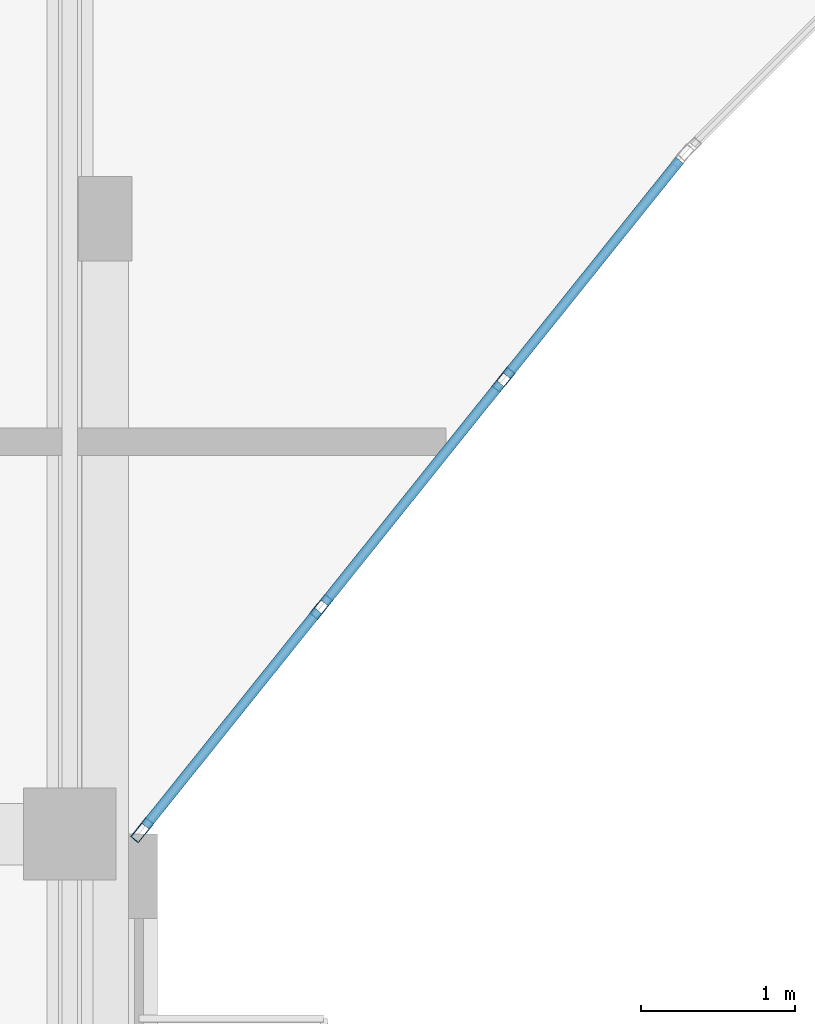
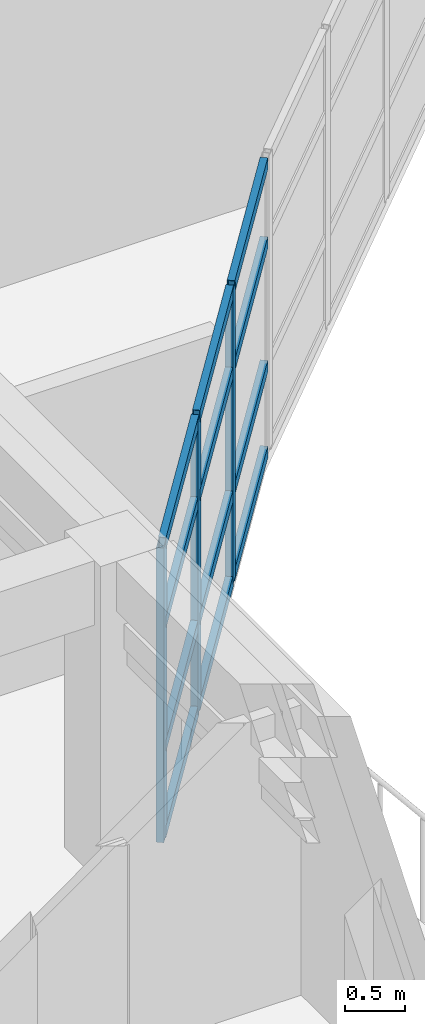
# One storey, part 19 of 79: 15 members, 1 element without a shape of its own.
"""IFC4 building model written with IfcOpenShell, lengths in metres."""

from ifc_helpers import new_model, si_unit, direction, frame, origin, origin_2d, place, context, subcontext, project, spatial, hollow_rectangle, extrude, material, layer, layer_set, material_profile, profile_set, type_object, element, aggregate, save


model = new_model("IFC4")

# Units and contexts
model_context = context("Model", 3, precision=1e-05, world=origin(), true_north=direction((0.0, 1.0)))
body_context = subcontext(model_context, "Body", "Model", "MODEL_VIEW")
ifc_project = project(units=[si_unit("LENGTHUNIT", "METRE"), si_unit("AREAUNIT", "SQUARE_METRE"), si_unit("VOLUMEUNIT", "CUBIC_METRE"), si_unit("PLANEANGLEUNIT", "RADIAN"), si_unit("MASSUNIT", "GRAM", prefix="KILO")], contexts=[model_context])

# Site, building, storey
site_placement = place(None, origin())
site = spatial("IfcSite", under=ifc_project, at=site_placement, CompositionType="ELEMENT")
building_placement = place(site_placement, origin())
building = spatial("IfcBuilding", under=site, at=building_placement, Name="Keldmere Railside Commons", CompositionType="ELEMENT")
storey_placement = place(building_placement, frame((0.0, 0.0, 10.56005859375)))
storey = spatial("IfcBuildingStorey", under=building, at=storey_placement, Name="L03", CompositionType="ELEMENT", Elevation=10.56005859375)

# Curtain wall, members
ifc_material = material(Name="Thermally Broken Aluminium", Category="aluminium")
ifc_layer = layer(ifc_material, 0.159912109375, Name="Court Chord Wintergarden CW 4800x2850")
ifc_layer_set = layer_set([ifc_layer], Name="Thermally Broken Aluminium")
curtain_wall_type = type_object("IfcCurtainWallType", Name="Court Chord Wintergarden CW 4800x2850", PredefinedType="NOTDEFINED", material=ifc_layer_set)
curtain_wall_placement = place(storey_placement, origin())
curtain_wall = element("IfcCurtainWall", 1, at=curtain_wall_placement, inside=storey, type_object=curtain_wall_type, Name="CW-12 CW-L03-103", PredefinedType="NOTDEFINED")
ifc_material_profile_1 = material_profile(ifc_material, hollow_rectangle(XDim=0.06494140625, YDim=0.159912109375, WallThickness=0.00390625, at=origin_2d()), Name="ALU-MULL-65x160")
ifc_profile_set_1 = profile_set([ifc_material_profile_1], Name="Thermally Broken Aluminium")
member_type_1 = type_object("IfcMemberType", Name="Unitised Curtain Wall Mullion 65x160", PredefinedType="MULLION", material=ifc_profile_set_1)
member_1_placement = place(storey_placement, frame((122.369384765625, 90.953369140625, 0.0), z_axis=(0.0, 0.0, 1.0), x_axis=(0.780009172323, -0.625768080915, 0.0)))
member_1 = element("IfcMember", 2, at=member_1_placement, type_object=member_type_1, Name="CW-12 mullion 2", PredefinedType="MULLION", context=body_context, shape_type="SweptSolid", body=[
    extrude(hollow_rectangle(XDim=0.06494140625, YDim=0.159912109375, WallThickness=0.00390625, at=origin_2d()), origin(), (0.0, 0.0, 1.0), 2.97998046875),
])
member_2_placement = place(storey_placement, frame((121.1845703125, 89.4765625, 0.0), z_axis=(0.0, 0.0, 1.0), x_axis=(0.780009172323, -0.625768080915, 0.0)))
member_2 = element("IfcMember", 3, at=member_2_placement, type_object=member_type_1, Name="CW-12 mullion 3", PredefinedType="MULLION", context=body_context, shape_type="SweptSolid", body=[
    extrude(hollow_rectangle(XDim=0.06494140625, YDim=0.159912109375, WallThickness=0.00390625, at=origin_2d()), origin(), (0.0, 0.0, 1.0), 2.97998046875),
])
member_3_placement = place(storey_placement, frame((120.020263671875, 88.025390625, 0.0), z_axis=(0.0, 0.0, 1.0), x_axis=(0.780009172323, -0.625768080915, 0.0)))
member_3 = element("IfcMember", 4, at=member_3_placement, type_object=member_type_1, Name="CW-12 mullion 4", PredefinedType="MULLION", context=body_context, shape_type="SweptSolid", body=[
    extrude(hollow_rectangle(XDim=0.06494140625, YDim=0.159912109375, WallThickness=0.00390625, at=origin_2d()), origin(), (0.0, 0.0, 1.0), 2.97998046875),
])
ifc_material_profile_2 = material_profile(ifc_material, hollow_rectangle(XDim=0.06494140625, YDim=0.1201171875, WallThickness=0.00390625, at=origin_2d()), Name="ALU-TRAN-65x120")
ifc_profile_set_2 = profile_set([ifc_material_profile_2], Name="Thermally Broken Aluminium")
member_type_2 = type_object("IfcMemberType", Name="Unitised Curtain Wall Transom 65x120", PredefinedType="USERDEFINED", material=ifc_profile_set_2)
member_4_placement = place(storey_placement, frame((123.513427734375, 92.37939453125, 0.032470703125), z_axis=(-0.625805275091, -0.779979331565, 0.0), x_axis=(0.779979331565, -0.625805275091, 0.0)))
member_4 = element("IfcMember", 5, at=member_4_placement, type_object=member_type_2, Name="CW-12 transom 1.1", ObjectType="TRANSOM", PredefinedType="USERDEFINED", context=body_context, shape_type="SweptSolid", body=[
    extrude(hollow_rectangle(XDim=0.06494140625, YDim=0.1201171875, WallThickness=0.00390625, at=origin_2d()), origin(), (0.0, 0.0, 1.0), 1.795654296875),
])
member_5_placement = place(storey_placement, frame((123.513427734375, 92.37939453125, 0.89990234375), z_axis=(-0.625805275091, -0.779979331565, 0.0), x_axis=(0.779979331565, -0.625805275091, 0.0)))
member_5 = element("IfcMember", 6, at=member_5_placement, type_object=member_type_2, Name="CW-12 transom 1.2", ObjectType="TRANSOM", PredefinedType="USERDEFINED", context=body_context, shape_type="SweptSolid", body=[
    extrude(hollow_rectangle(XDim=0.06494140625, YDim=0.1201171875, WallThickness=0.00390625, at=origin_2d()), origin(), (0.0, 0.0, 1.0), 1.795654296875),
])
member_6_placement = place(storey_placement, frame((123.513427734375, 92.37939453125, 2.14990234375), z_axis=(-0.625805275091, -0.779979331565, 0.0), x_axis=(0.779979331565, -0.625805275091, 0.0)))
member_6 = element("IfcMember", 7, at=member_6_placement, type_object=member_type_2, Name="CW-12 transom 1.3", ObjectType="TRANSOM", PredefinedType="USERDEFINED", context=body_context, shape_type="SweptSolid", body=[
    extrude(hollow_rectangle(XDim=0.06494140625, YDim=0.1201171875, WallThickness=0.00390625, at=origin_2d()), origin(), (0.0, 0.0, 1.0), 1.795654296875),
])
member_7_placement = place(storey_placement, frame((123.513427734375, 92.37939453125, 2.947509765625), z_axis=(-0.625805275091, -0.779979331565, 0.0), x_axis=(0.779979331565, -0.625805275091, 0.0)))
member_7 = element("IfcMember", 8, at=member_7_placement, type_object=member_type_2, Name="CW-12 transom 1.4", ObjectType="TRANSOM", PredefinedType="USERDEFINED", context=body_context, shape_type="SweptSolid", body=[
    extrude(hollow_rectangle(XDim=0.06494140625, YDim=0.1201171875, WallThickness=0.00390625, at=origin_2d()), origin(), (0.0, 0.0, 1.0), 1.795654296875),
])
member_8_placement = place(storey_placement, frame((122.348876953125, 90.927978515625, 0.032470703125), z_axis=(-0.625688033635, -0.78007338409, 0.0), x_axis=(0.78007338409, -0.625688033635, 0.0)))
member_8 = element("IfcMember", 9, at=member_8_placement, type_object=member_type_2, Name="CW-12 transom 2.1", ObjectType="TRANSOM", PredefinedType="USERDEFINED", context=body_context, shape_type="SweptSolid", body=[
    extrude(hollow_rectangle(XDim=0.06494140625, YDim=0.1201171875, WallThickness=0.00390625, at=origin_2d()), origin(), (0.0, 0.0, 1.0), 1.828125),
])
member_9_placement = place(storey_placement, frame((122.348876953125, 90.927978515625, 0.89990234375), z_axis=(-0.625688033635, -0.78007338409, 0.0), x_axis=(0.78007338409, -0.625688033635, 0.0)))
member_9 = element("IfcMember", 10, at=member_9_placement, type_object=member_type_2, Name="CW-12 transom 2.2", ObjectType="TRANSOM", PredefinedType="USERDEFINED", context=body_context, shape_type="SweptSolid", body=[
    extrude(hollow_rectangle(XDim=0.06494140625, YDim=0.1201171875, WallThickness=0.00390625, at=origin_2d()), origin(), (0.0, 0.0, 1.0), 1.828125),
])
member_10_placement = place(storey_placement, frame((122.348876953125, 90.927978515625, 2.14990234375), z_axis=(-0.625688033635, -0.78007338409, 0.0), x_axis=(0.78007338409, -0.625688033635, 0.0)))
member_10 = element("IfcMember", 11, at=member_10_placement, type_object=member_type_2, Name="CW-12 transom 2.3", ObjectType="TRANSOM", PredefinedType="USERDEFINED", context=body_context, shape_type="SweptSolid", body=[
    extrude(hollow_rectangle(XDim=0.06494140625, YDim=0.1201171875, WallThickness=0.00390625, at=origin_2d()), origin(), (0.0, 0.0, 1.0), 1.828125),
])
member_11_placement = place(storey_placement, frame((122.348876953125, 90.927978515625, 2.947509765625), z_axis=(-0.625688033635, -0.78007338409, 0.0), x_axis=(0.78007338409, -0.625688033635, 0.0)))
member_11 = element("IfcMember", 12, at=member_11_placement, type_object=member_type_2, Name="CW-12 transom 2.4", ObjectType="TRANSOM", PredefinedType="USERDEFINED", context=body_context, shape_type="SweptSolid", body=[
    extrude(hollow_rectangle(XDim=0.06494140625, YDim=0.1201171875, WallThickness=0.00390625, at=origin_2d()), origin(), (0.0, 0.0, 1.0), 1.828125),
])
member_12_placement = place(storey_placement, frame((121.164306640625, 89.451416015625, 0.032470703125), z_axis=(-0.625722553313, -0.780045694992, 0.0), x_axis=(0.780045694992, -0.625722553313, 0.0)))
member_12 = element("IfcMember", 13, at=member_12_placement, type_object=member_type_2, Name="CW-12 transom 3.1", ObjectType="TRANSOM", PredefinedType="USERDEFINED", context=body_context, shape_type="SweptSolid", body=[
    extrude(hollow_rectangle(XDim=0.06494140625, YDim=0.1201171875, WallThickness=0.00390625, at=origin_2d()), origin(), (0.0, 0.0, 1.0), 1.795654296875),
])
member_13_placement = place(storey_placement, frame((121.164306640625, 89.451416015625, 0.89990234375), z_axis=(-0.625722553313, -0.780045694992, 0.0), x_axis=(0.780045694992, -0.625722553313, 0.0)))
member_13 = element("IfcMember", 14, at=member_13_placement, type_object=member_type_2, Name="CW-12 transom 3.2", ObjectType="TRANSOM", PredefinedType="USERDEFINED", context=body_context, shape_type="SweptSolid", body=[
    extrude(hollow_rectangle(XDim=0.06494140625, YDim=0.1201171875, WallThickness=0.00390625, at=origin_2d()), origin(), (0.0, 0.0, 1.0), 1.795654296875),
])
member_14_placement = place(storey_placement, frame((121.164306640625, 89.451416015625, 2.14990234375), z_axis=(-0.625722553313, -0.780045694992, 0.0), x_axis=(0.780045694992, -0.625722553313, 0.0)))
member_14 = element("IfcMember", 15, at=member_14_placement, type_object=member_type_2, Name="CW-12 transom 3.3", ObjectType="TRANSOM", PredefinedType="USERDEFINED", context=body_context, shape_type="SweptSolid", body=[
    extrude(hollow_rectangle(XDim=0.06494140625, YDim=0.1201171875, WallThickness=0.00390625, at=origin_2d()), origin(), (0.0, 0.0, 1.0), 1.795654296875),
])
member_15_placement = place(storey_placement, frame((121.164306640625, 89.451416015625, 2.947509765625), z_axis=(-0.625722553313, -0.780045694992, 0.0), x_axis=(0.780045694992, -0.625722553313, 0.0)))
member_15 = element("IfcMember", 16, at=member_15_placement, type_object=member_type_2, Name="CW-12 transom 3.4", ObjectType="TRANSOM", PredefinedType="USERDEFINED", context=body_context, shape_type="SweptSolid", body=[
    extrude(hollow_rectangle(XDim=0.06494140625, YDim=0.1201171875, WallThickness=0.00390625, at=origin_2d()), origin(), (0.0, 0.0, 1.0), 1.795654296875),
])
aggregate(curtain_wall, [member_1, member_2, member_3, member_4, member_5, member_6, member_7, member_8, member_9, member_10, member_11, member_12, member_13, member_14, member_15])

save(model, "model.ifc")
